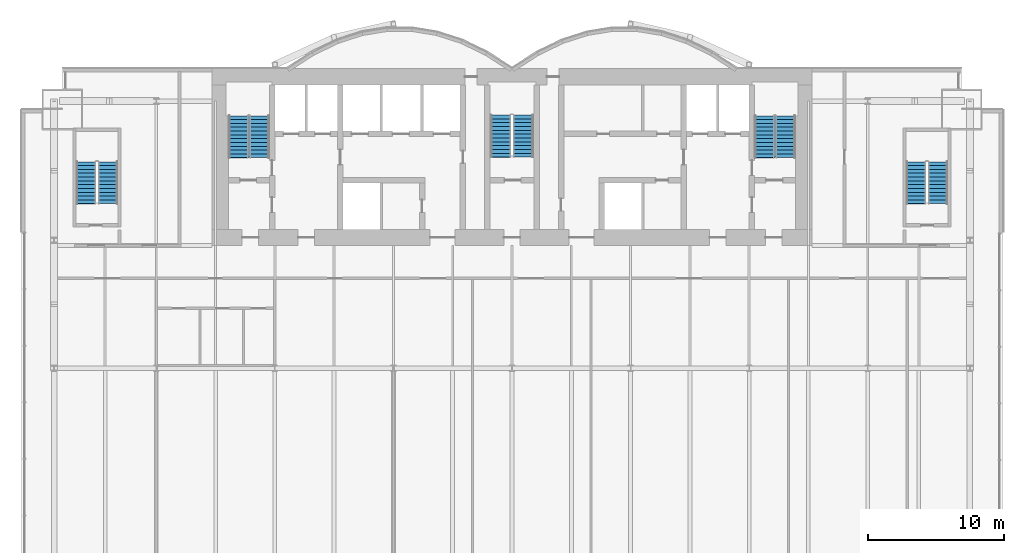
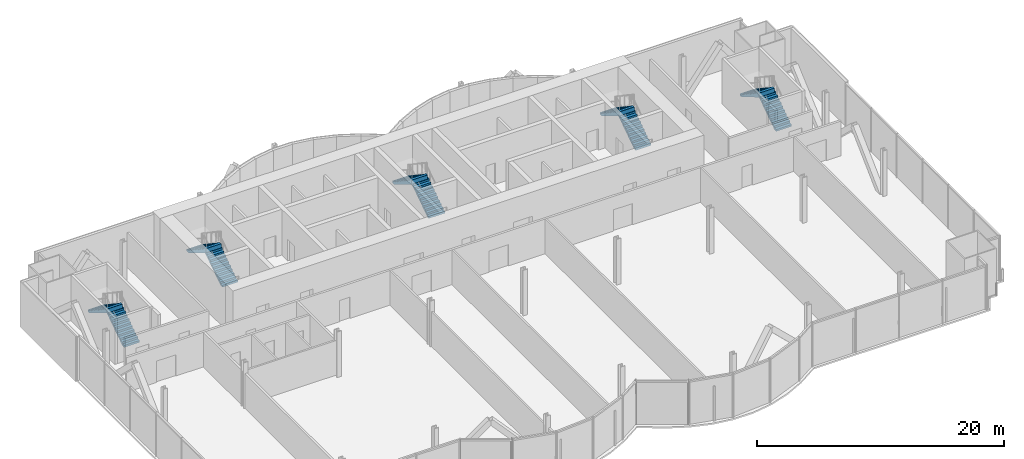
# One storey, part 18 of 21: 10 stair flights, 5 elements without a shape of their own.
"""IFC4 building model written with IfcOpenShell, lengths in metres."""

from ifc_helpers import new_model, si_unit, direction, frame, origin, place, context, subcontext, project, spatial, polyline, outline, extrude, material, type_object, element, aggregate, save


model = new_model("IFC4")

# Units and contexts
model_context = context("Model", 3, precision=1e-05, world=origin(), true_north=direction((0.0, 1.0)))
body_context = subcontext(model_context, "Body", "Model", "MODEL_VIEW")
ifc_project = project(units=[si_unit("LENGTHUNIT", "METRE"), si_unit("AREAUNIT", "SQUARE_METRE"), si_unit("VOLUMEUNIT", "CUBIC_METRE"), si_unit("PLANEANGLEUNIT", "RADIAN"), si_unit("MASSUNIT", "GRAM", prefix="KILO")], contexts=[model_context])

# Site, building, storey
site_placement = place(None, origin())
site = spatial("IfcSite", under=ifc_project, at=site_placement, CompositionType="ELEMENT")
building_placement = place(site_placement, origin())
building = spatial("IfcBuilding", under=site, at=building_placement, Name="Bicima Exchange Tower", CompositionType="ELEMENT")
storey_placement = place(building_placement, frame((0.0, 0.0, 66.5)))
storey = spatial("IfcBuildingStorey", under=building, at=storey_placement, Name="L13", CompositionType="ELEMENT", Elevation=66.5)

# Stair, stair flights
ifc_material = material(Name="Concrete C50/60", Category="concrete")
stair_type_1 = type_object("IfcStairType", Name="Exit stair", PredefinedType="HALF_TURN_STAIR", material=ifc_material)
stair_1_placement = place(storey_placement, origin())
stair_1 = element("IfcStair", 1, at=stair_1_placement, inside=storey, type_object=stair_type_1, Name="L13 West exit stair", PredefinedType="HALF_TURN_STAIR")
stair_flight_type_1 = type_object("IfcStairFlightType", Name="Stair flight RC", PredefinedType="STRAIGHT", material=ifc_material)
stair_flight_1_placement = place(storey_placement, frame((-18.52490234375, -6.550048828125, 0.0), z_axis=(0.0, 0.0, 1.0), x_axis=(0.0, 1.0, 0.0)))
stair_flight_1 = element("IfcStairFlight", 2, at=stair_flight_1_placement, type_object=stair_flight_type_1, Name="ST-W flight 1", NumberOfRisers=12, NumberOfTreads=11, PredefinedType="STRAIGHT", RiserHeight=0.1875, TreadLength=0.28, context=body_context, shape_type="SweptSolid", body=[
    extrude(outline(polyline([(0.0, 0.0), (0.0, 0.1875), (0.280029296875, 0.1875), (0.280029296875, 0.375), (0.56005859375, 0.375), (0.56005859375, 0.5625), (0.840087890625, 0.5625), (0.840087890625, 0.75), (1.1201171875, 0.75), (1.1201171875, 0.9375), (1.39990234375, 0.9375), (1.39990234375, 1.125), (1.679931640625, 1.125), (1.679931640625, 1.3125), (1.9599609375, 1.3125), (1.9599609375, 1.5), (2.239990234375, 1.5), (2.239990234375, 1.6875), (2.52001953125, 1.6875), (2.52001953125, 1.875), (2.800048828125, 1.875), (2.800048828125, 2.0625), (3.080078125, 2.0625), (3.080078125, 2.25), (3.080078125, 1.882080078125), (0.26953125, 0.0), (0.0, 0.0)])), frame((0.0, 0.72509765625, 0.0), z_axis=(0.0, -1.0, 0.0), x_axis=(1.0, 0.0, 0.0)), (0.0, 0.0, 1.0), 1.449951171875),
])
stair_flight_2_placement = place(storey_placement, frame((-20.074951171875, -3.469970703125, 2.25), z_axis=(0.0, 0.0, 1.0), x_axis=(0.0, -1.0, 0.0)))
stair_flight_2 = element("IfcStairFlight", 3, at=stair_flight_2_placement, type_object=stair_flight_type_1, Name="ST-W flight 2", NumberOfRisers=12, NumberOfTreads=11, PredefinedType="STRAIGHT", RiserHeight=0.1875, TreadLength=0.28, context=body_context, shape_type="SweptSolid", body=[
    extrude(outline(polyline([(0.0, 0.0), (0.0, 0.1875), (0.280029296875, 0.1875), (0.280029296875, 0.375), (0.56005859375, 0.375), (0.56005859375, 0.5625), (0.840087890625, 0.5625), (0.840087890625, 0.75), (1.1201171875, 0.75), (1.1201171875, 0.9375), (1.39990234375, 0.9375), (1.39990234375, 1.125), (1.679931640625, 1.125), (1.679931640625, 1.3125), (1.9599609375, 1.3125), (1.9599609375, 1.5), (2.239990234375, 1.5), (2.239990234375, 1.6875), (2.52001953125, 1.6875), (2.52001953125, 1.875), (2.800048828125, 1.875), (2.800048828125, 2.0625), (3.080078125, 2.0625), (3.080078125, 2.10400390625), (3.094970703125, 2.10400390625), (3.094970703125, 1.70458984375), (0.26953125, 0.0), (0.0, 0.0)])), frame((0.0, 0.72509765625, 0.0), z_axis=(0.0, -1.0, 0.0), x_axis=(1.0, 0.0, 0.0)), (0.0, 0.0, 1.0), 1.449951171875),
])
aggregate(stair_1, [stair_flight_1, stair_flight_2])

stair_2_placement = place(storey_placement, origin())
stair_2 = element("IfcStair", 4, at=stair_2_placement, inside=storey, type_object=stair_type_1, Name="L13 East exit stair", PredefinedType="HALF_TURN_STAIR")
stair_flight_3_placement = place(storey_placement, frame((20.074951171875, -6.550048828125, 0.0), z_axis=(0.0, 0.0, 1.0), x_axis=(0.0, 1.0, 0.0)))
stair_flight_3 = element("IfcStairFlight", 5, at=stair_flight_3_placement, type_object=stair_flight_type_1, Name="ST-E flight 1", NumberOfRisers=12, NumberOfTreads=11, PredefinedType="STRAIGHT", RiserHeight=0.1875, TreadLength=0.28, context=body_context, shape_type="SweptSolid", body=[
    extrude(outline(polyline([(0.0, 0.0), (0.0, 0.1875), (0.280029296875, 0.1875), (0.280029296875, 0.375), (0.56005859375, 0.375), (0.56005859375, 0.5625), (0.840087890625, 0.5625), (0.840087890625, 0.75), (1.1201171875, 0.75), (1.1201171875, 0.9375), (1.39990234375, 0.9375), (1.39990234375, 1.125), (1.679931640625, 1.125), (1.679931640625, 1.3125), (1.9599609375, 1.3125), (1.9599609375, 1.5), (2.239990234375, 1.5), (2.239990234375, 1.6875), (2.52001953125, 1.6875), (2.52001953125, 1.875), (2.800048828125, 1.875), (2.800048828125, 2.0625), (3.080078125, 2.0625), (3.080078125, 2.25), (3.080078125, 1.882080078125), (0.26953125, 0.0), (0.0, 0.0)])), frame((0.0, 0.72509765625, 0.0), z_axis=(0.0, -1.0, 0.0), x_axis=(1.0, 0.0, 0.0)), (0.0, 0.0, 1.0), 1.449951171875),
])
stair_flight_4_placement = place(storey_placement, frame((18.52490234375, -3.469970703125, 2.25), z_axis=(0.0, 0.0, 1.0), x_axis=(0.0, -1.0, 0.0)))
stair_flight_4 = element("IfcStairFlight", 6, at=stair_flight_4_placement, type_object=stair_flight_type_1, Name="ST-E flight 2", NumberOfRisers=12, NumberOfTreads=11, PredefinedType="STRAIGHT", RiserHeight=0.1875, TreadLength=0.28, context=body_context, shape_type="SweptSolid", body=[
    extrude(outline(polyline([(0.0, 0.0), (0.0, 0.1875), (0.280029296875, 0.1875), (0.280029296875, 0.375), (0.56005859375, 0.375), (0.56005859375, 0.5625), (0.840087890625, 0.5625), (0.840087890625, 0.75), (1.1201171875, 0.75), (1.1201171875, 0.9375), (1.39990234375, 0.9375), (1.39990234375, 1.125), (1.679931640625, 1.125), (1.679931640625, 1.3125), (1.9599609375, 1.3125), (1.9599609375, 1.5), (2.239990234375, 1.5), (2.239990234375, 1.6875), (2.52001953125, 1.6875), (2.52001953125, 1.875), (2.800048828125, 1.875), (2.800048828125, 2.0625), (3.080078125, 2.0625), (3.080078125, 2.10400390625), (3.094970703125, 2.10400390625), (3.094970703125, 1.70458984375), (0.26953125, 0.0), (0.0, 0.0)])), frame((0.0, 0.72509765625, 0.0), z_axis=(0.0, -1.0, 0.0), x_axis=(1.0, 0.0, 0.0)), (0.0, 0.0, 1.0), 1.449951171875),
])
aggregate(stair_2, [stair_flight_3, stair_flight_4])

stair_3_placement = place(storey_placement, origin())
stair_3 = element("IfcStair", 7, at=stair_3_placement, inside=storey, type_object=stair_type_1, Name="L13 West end exit stair", PredefinedType="HALF_TURN_STAIR")
stair_flight_5_placement = place(storey_placement, frame((-29.64990234375, -9.925048828125, 0.0), z_axis=(0.0, 0.0, 1.0), x_axis=(0.0, 1.0, 0.0)))
stair_flight_5 = element("IfcStairFlight", 8, at=stair_flight_5_placement, type_object=stair_flight_type_1, Name="ST-WW flight 1", NumberOfRisers=12, NumberOfTreads=11, PredefinedType="STRAIGHT", RiserHeight=0.1875, TreadLength=0.28, context=body_context, shape_type="SweptSolid", body=[
    extrude(outline(polyline([(0.0, 0.0), (0.0, 0.1875), (0.280029296875, 0.1875), (0.280029296875, 0.375), (0.56005859375, 0.375), (0.56005859375, 0.5625), (0.840087890625, 0.5625), (0.840087890625, 0.75), (1.1201171875, 0.75), (1.1201171875, 0.9375), (1.39990234375, 0.9375), (1.39990234375, 1.125), (1.679931640625, 1.125), (1.679931640625, 1.3125), (1.9599609375, 1.3125), (1.9599609375, 1.5), (2.239990234375, 1.5), (2.239990234375, 1.6875), (2.52001953125, 1.6875), (2.52001953125, 1.875), (2.800048828125, 1.875), (2.800048828125, 2.0625), (3.080078125, 2.0625), (3.080078125, 2.25), (3.080078125, 1.882080078125), (0.26953125, 0.0), (0.0, 0.0)])), frame((0.0, 0.72509765625, 0.0), z_axis=(0.0, -1.0, 0.0), x_axis=(1.0, 0.0, 0.0)), (0.0, 0.0, 1.0), 1.449951171875),
])
stair_flight_6_placement = place(storey_placement, frame((-31.25, -6.844970703125, 2.25), z_axis=(0.0, 0.0, 1.0), x_axis=(0.0, -1.0, 0.0)))
stair_flight_6 = element("IfcStairFlight", 9, at=stair_flight_6_placement, type_object=stair_flight_type_1, Name="ST-WW flight 2", NumberOfRisers=12, NumberOfTreads=11, PredefinedType="STRAIGHT", RiserHeight=0.1875, TreadLength=0.28, context=body_context, shape_type="SweptSolid", body=[
    extrude(outline(polyline([(0.0, 0.0), (0.0, 0.1875), (0.280029296875, 0.1875), (0.280029296875, 0.375), (0.56005859375, 0.375), (0.56005859375, 0.5625), (0.840087890625, 0.5625), (0.840087890625, 0.75), (1.1201171875, 0.75), (1.1201171875, 0.9375), (1.39990234375, 0.9375), (1.39990234375, 1.125), (1.679931640625, 1.125), (1.679931640625, 1.3125), (1.9599609375, 1.3125), (1.9599609375, 1.5), (2.239990234375, 1.5), (2.239990234375, 1.6875), (2.52001953125, 1.6875), (2.52001953125, 1.875), (2.800048828125, 1.875), (2.800048828125, 2.0625), (3.080078125, 2.0625), (3.080078125, 2.10400390625), (3.094970703125, 2.10400390625), (3.094970703125, 1.70458984375), (0.26953125, 0.0), (0.0, 0.0)])), frame((0.0, 0.72509765625, 0.0), z_axis=(0.0, -1.0, 0.0), x_axis=(1.0, 0.0, 0.0)), (0.0, 0.0, 1.0), 1.449951171875),
])
aggregate(stair_3, [stair_flight_5, stair_flight_6])

stair_4_placement = place(storey_placement, origin())
stair_4 = element("IfcStair", 10, at=stair_4_placement, inside=storey, type_object=stair_type_1, Name="L13 East end exit stair", PredefinedType="HALF_TURN_STAIR")
stair_flight_7_placement = place(storey_placement, frame((31.25, -9.925048828125, 0.0), z_axis=(0.0, 0.0, 1.0), x_axis=(0.0, 1.0, 0.0)))
stair_flight_7 = element("IfcStairFlight", 11, at=stair_flight_7_placement, type_object=stair_flight_type_1, Name="ST-EE flight 1", NumberOfRisers=12, NumberOfTreads=11, PredefinedType="STRAIGHT", RiserHeight=0.1875, TreadLength=0.28, context=body_context, shape_type="SweptSolid", body=[
    extrude(outline(polyline([(0.0, 0.0), (0.0, 0.1875), (0.280029296875, 0.1875), (0.280029296875, 0.375), (0.56005859375, 0.375), (0.56005859375, 0.5625), (0.840087890625, 0.5625), (0.840087890625, 0.75), (1.1201171875, 0.75), (1.1201171875, 0.9375), (1.39990234375, 0.9375), (1.39990234375, 1.125), (1.679931640625, 1.125), (1.679931640625, 1.3125), (1.9599609375, 1.3125), (1.9599609375, 1.5), (2.239990234375, 1.5), (2.239990234375, 1.6875), (2.52001953125, 1.6875), (2.52001953125, 1.875), (2.800048828125, 1.875), (2.800048828125, 2.0625), (3.080078125, 2.0625), (3.080078125, 2.25), (3.080078125, 1.882080078125), (0.26953125, 0.0), (0.0, 0.0)])), frame((0.0, 0.72509765625, 0.0), z_axis=(0.0, -1.0, 0.0), x_axis=(1.0, 0.0, 0.0)), (0.0, 0.0, 1.0), 1.449951171875),
])
stair_flight_8_placement = place(storey_placement, frame((29.64990234375, -6.844970703125, 2.25), z_axis=(0.0, 0.0, 1.0), x_axis=(0.0, -1.0, 0.0)))
stair_flight_8 = element("IfcStairFlight", 12, at=stair_flight_8_placement, type_object=stair_flight_type_1, Name="ST-EE flight 2", NumberOfRisers=12, NumberOfTreads=11, PredefinedType="STRAIGHT", RiserHeight=0.1875, TreadLength=0.28, context=body_context, shape_type="SweptSolid", body=[
    extrude(outline(polyline([(0.0, 0.0), (0.0, 0.1875), (0.280029296875, 0.1875), (0.280029296875, 0.375), (0.56005859375, 0.375), (0.56005859375, 0.5625), (0.840087890625, 0.5625), (0.840087890625, 0.75), (1.1201171875, 0.75), (1.1201171875, 0.9375), (1.39990234375, 0.9375), (1.39990234375, 1.125), (1.679931640625, 1.125), (1.679931640625, 1.3125), (1.9599609375, 1.3125), (1.9599609375, 1.5), (2.239990234375, 1.5), (2.239990234375, 1.6875), (2.52001953125, 1.6875), (2.52001953125, 1.875), (2.800048828125, 1.875), (2.800048828125, 2.0625), (3.080078125, 2.0625), (3.080078125, 2.10400390625), (3.094970703125, 2.10400390625), (3.094970703125, 1.70458984375), (0.26953125, 0.0), (0.0, 0.0)])), frame((0.0, 0.72509765625, 0.0), z_axis=(0.0, -1.0, 0.0), x_axis=(1.0, 0.0, 0.0)), (0.0, 0.0, 1.0), 1.449951171875),
])
aggregate(stair_4, [stair_flight_7, stair_flight_8])

stair_type_2 = type_object("IfcStairType", Name="Exit stair 1500", PredefinedType="HALF_TURN_STAIR", material=ifc_material)
stair_5_placement = place(storey_placement, origin())
stair_5 = element("IfcStair", 13, at=stair_5_placement, inside=storey, type_object=stair_type_2, Name="L13 Central exit stair", PredefinedType="HALF_TURN_STAIR")
stair_flight_type_2 = type_object("IfcStairFlightType", Name="Stair flight RC 1500", PredefinedType="STRAIGHT", material=ifc_material)
stair_flight_9_placement = place(storey_placement, frame((0.824951171875, -6.5, 0.0), z_axis=(0.0, 0.0, 1.0), x_axis=(0.0, 1.0, 0.0)))
stair_flight_9 = element("IfcStairFlight", 14, at=stair_flight_9_placement, type_object=stair_flight_type_2, Name="ST-C flight 1", NumberOfRisers=12, NumberOfTreads=11, PredefinedType="STRAIGHT", RiserHeight=0.1875, TreadLength=0.28, context=body_context, shape_type="SweptSolid", body=[
    extrude(outline(polyline([(0.0, 0.0), (0.0, 0.1875), (0.280029296875, 0.1875), (0.280029296875, 0.375), (0.56005859375, 0.375), (0.56005859375, 0.5625), (0.840087890625, 0.5625), (0.840087890625, 0.75), (1.1201171875, 0.75), (1.1201171875, 0.9375), (1.39990234375, 0.9375), (1.39990234375, 1.125), (1.679931640625, 1.125), (1.679931640625, 1.3125), (1.9599609375, 1.3125), (1.9599609375, 1.5), (2.239990234375, 1.5), (2.239990234375, 1.6875), (2.52001953125, 1.6875), (2.52001953125, 1.875), (2.800048828125, 1.875), (2.800048828125, 2.0625), (3.080078125, 2.0625), (3.080078125, 2.25), (3.080078125, 1.882080078125), (0.26953125, 0.0), (0.0, 0.0)])), frame((0.0, 0.75, 0.0), z_axis=(0.0, -1.0, 0.0), x_axis=(1.0, 0.0, 0.0)), (0.0, 0.0, 1.0), 1.5),
])
stair_flight_10_placement = place(storey_placement, frame((-0.824951171875, -3.419921875, 2.25), z_axis=(0.0, 0.0, 1.0), x_axis=(0.0, -1.0, 0.0)))
stair_flight_10 = element("IfcStairFlight", 15, at=stair_flight_10_placement, type_object=stair_flight_type_2, Name="ST-C flight 2", NumberOfRisers=12, NumberOfTreads=11, PredefinedType="STRAIGHT", RiserHeight=0.1875, TreadLength=0.28, context=body_context, shape_type="SweptSolid", body=[
    extrude(outline(polyline([(0.0, 0.0), (0.0, 0.1875), (0.280029296875, 0.1875), (0.280029296875, 0.375), (0.56005859375, 0.375), (0.56005859375, 0.5625), (0.840087890625, 0.5625), (0.840087890625, 0.75), (1.1201171875, 0.75), (1.1201171875, 0.9375), (1.39990234375, 0.9375), (1.39990234375, 1.125), (1.679931640625, 1.125), (1.679931640625, 1.3125), (1.9599609375, 1.3125), (1.9599609375, 1.5), (2.239990234375, 1.5), (2.239990234375, 1.6875), (2.52001953125, 1.6875), (2.52001953125, 1.875), (2.800048828125, 1.875), (2.800048828125, 2.0625), (3.080078125, 2.0625), (3.080078125, 2.10400390625), (3.094970703125, 2.10400390625), (3.094970703125, 1.70458984375), (0.26953125, 0.0), (0.0, 0.0)])), frame((0.0, 0.75, 0.0), z_axis=(0.0, -1.0, 0.0), x_axis=(1.0, 0.0, 0.0)), (0.0, 0.0, 1.0), 1.5),
])
aggregate(stair_5, [stair_flight_9, stair_flight_10])

save(model, "model.ifc")
